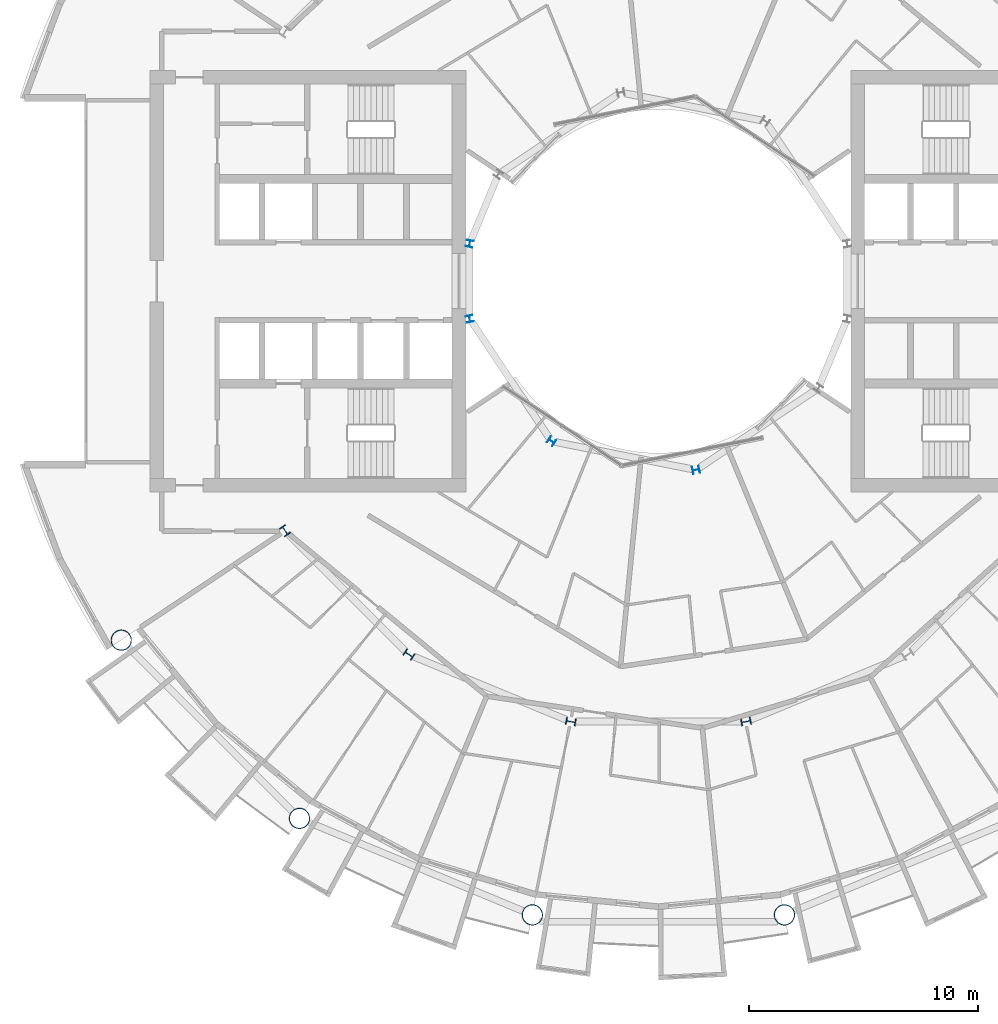
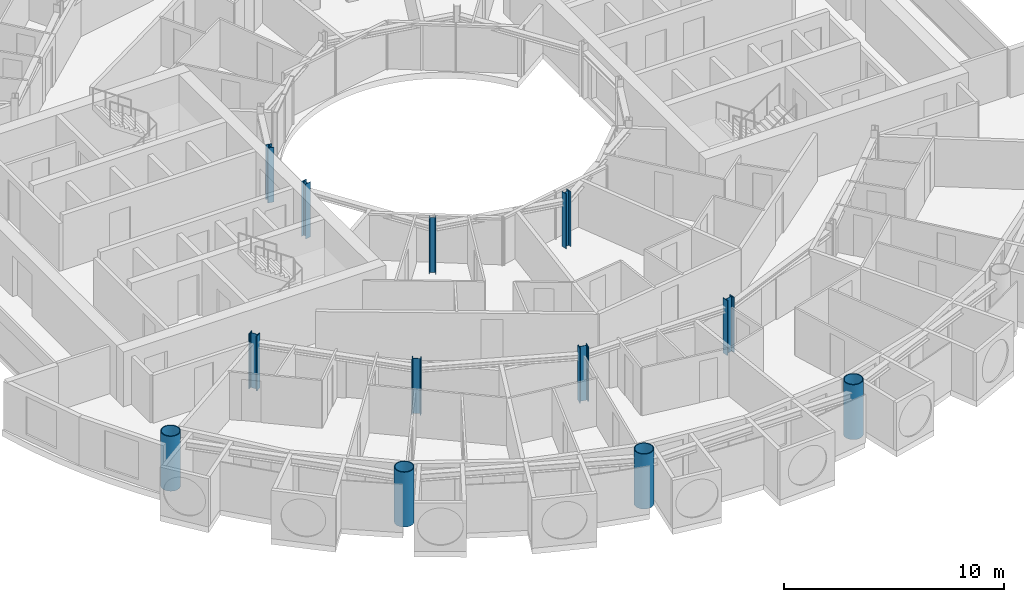
# One storey, part 1 of 27: 12 columns.
"""IFC4 building model written with IfcOpenShell, lengths in metres."""

from ifc_helpers import new_model, si_unit, direction, frame, origin, origin_2d, place, context, subcontext, project, spatial, hollow_circle, i_section, extrude, material, material_profile, profile_set, type_object, element, save


model = new_model("IFC4")

# Units and contexts
model_context = context("Model", 3, precision=1e-05, world=origin(), true_north=direction((0.0, 1.0)))
body_context = subcontext(model_context, "Body", "Model", "MODEL_VIEW")
ifc_project = project(units=[si_unit("LENGTHUNIT", "METRE"), si_unit("AREAUNIT", "SQUARE_METRE"), si_unit("VOLUMEUNIT", "CUBIC_METRE"), si_unit("PLANEANGLEUNIT", "RADIAN"), si_unit("MASSUNIT", "GRAM", prefix="KILO")], contexts=[model_context])

# Site, building, storey
site_placement = place(None, origin())
site = spatial("IfcSite", under=ifc_project, at=site_placement, CompositionType="ELEMENT")
building_placement = place(site_placement, origin())
building = spatial("IfcBuilding", under=site, at=building_placement, Name="Maasbend Ring Residences", CompositionType="ELEMENT")
storey_placement = place(building_placement, frame((0.0, 0.0, 136.050048828125)))
storey = spatial("IfcBuildingStorey", under=building, at=storey_placement, Name="L39", CompositionType="ELEMENT", Elevation=136.050048828125)

# Columns
ifc_material_1 = material(Name="Composite concrete-filled steel tube S460NH / C80/95", Category="concrete")
ifc_material_profile_1 = material_profile(ifc_material_1, hollow_circle(Radius=0.45703125, WallThickness=0.0400390625, at=origin_2d()), Name="Composite tube column CHS 914x40")
ifc_profile_set_1 = profile_set([ifc_material_profile_1], Name="Composite concrete-filled steel tube S460NH / C80/95")
column_type_1 = type_object("IfcColumnType", Name="Composite tube column CHS 914x40", PredefinedType="COLUMN", material=ifc_profile_set_1)
for number, where, z_axis, x_axis, name in (
    (1, (-23.447509765625, -15.6669921875, 0.0), (0.0, 0.0, 1.0), (1.0, 0.0, 0.0), "Outer column R10"),
    (2, (-15.6669921875, -23.447509765625, 0.0), (0.0, 0.0, 1.0), (1.0, 0.0, 0.0), "Outer column R11"),
    (3, (-5.50146484375, -27.658203125, 0.0), (0.0, 0.0, 1.0), (1.0, 0.0, 0.0), "Outer column R12"),
    (4, (5.50146484375, -27.658203125, 0.0), (0.0, 0.0, 1.0), (1.0, 0.0, 0.0), "Outer column R13"),
):
    element("IfcColumn", number, at=place(storey_placement, frame(where, z_axis=z_axis, x_axis=x_axis)), inside=storey, type_object=column_type_1, Name=name, PredefinedType="COLUMN", context=body_context, shape_type="SweptSolid", body=[
        extrude(hollow_circle(Radius=0.45703125, WallThickness=0.0400390625, at=origin_2d()), origin(), (0.0, 0.0, 1.0), 3.050048828125),
    ])
ifc_material_2 = material(Name="Steel S355J2", Category="steel")
ifc_material_profile_2 = material_profile(ifc_material_2, i_section(OverallWidth=0.300048828125, OverallDepth=0.300048828125, WebThickness=0.010986328125, FlangeThickness=0.01904296875, FilletRadius=0.027099609375, at=origin_2d()), Name="HEB 300")
ifc_profile_set_2 = profile_set([ifc_material_profile_2], Name="Steel S355J2")
column_type_2 = type_object("IfcColumnType", Name="Steel column HEB 300", PredefinedType="COLUMN", material=ifc_profile_set_2)
for number, where, z_axis, x_axis, name in (
    (5, (-8.238525390625, 1.638916015625, 0.0), (0.0, 0.0, 1.0), (-0.980785280403, 0.195090322016, 0.0), "Well ring column R8"),
    (6, (-8.238525390625, -1.638916015625, 0.0), (0.0, 0.0, 1.0), (-0.980785280403, -0.195090322016, 0.0), "Well ring column R9"),
    (7, (-4.666748046875, -6.984375, 0.0), (0.0, 0.0, 1.0), (-0.55557023302, -0.831469612303, 0.0), "Well ring column R11"),
    (8, (1.638916015625, -8.238525390625, 0.0), (0.0, 0.0, 1.0), (0.195090322016, -0.980785280403, 0.0), "Well ring column R13"),
):
    element("IfcColumn", number, at=place(storey_placement, frame(where, z_axis=z_axis, x_axis=x_axis)), inside=storey, type_object=column_type_2, Name=name, PredefinedType="COLUMN", context=body_context, shape_type="SweptSolid", body=[
        extrude(i_section(OverallWidth=0.300048828125, OverallDepth=0.300048828125, WebThickness=0.010986328125, FlangeThickness=0.01904296875, FilletRadius=0.027099609375, at=origin_2d()), origin(), (0.0, 0.0, 1.0), 3.050048828125),
    ])
ifc_material_3 = material(Name="Steel S460M", Category="steel")
ifc_material_profile_3 = material_profile(ifc_material_3, i_section(OverallWidth=0.306884765625, OverallDepth=0.431884765625, WebThickness=0.02099609375, FlangeThickness=0.0400390625, FilletRadius=0.027099609375, at=origin_2d()), Name="HEM 400")
ifc_profile_set_3 = profile_set([ifc_material_profile_3], Name="Steel S460M")
column_type_3 = type_object("IfcColumnType", Name="Steel column HEM 400", PredefinedType="COLUMN", material=ifc_profile_set_3)
for number, where, z_axis, x_axis, name in (
    (9, (-16.296875, -10.88916015625, 0.0), (0.0, 0.0, 1.0), (-0.831469612303, -0.55557023302, 0.0), "Corridor ring column R10"),
    (10, (-10.88916015625, -16.296875, 0.0), (0.0, 0.0, 1.0), (-0.55557023302, -0.831469612303, 0.0), "Corridor ring column R11"),
    (11, (-3.82373046875, -19.223388671875, 0.0), (0.0, 0.0, 1.0), (-0.195090322016, -0.980785280403, 0.0), "Corridor ring column R12"),
    (12, (3.82373046875, -19.223388671875, 0.0), (0.0, 0.0, 1.0), (0.195090322016, -0.980785280403, 0.0), "Corridor ring column R13"),
):
    element("IfcColumn", number, at=place(storey_placement, frame(where, z_axis=z_axis, x_axis=x_axis)), inside=storey, type_object=column_type_3, Name=name, PredefinedType="COLUMN", context=body_context, shape_type="SweptSolid", body=[
        extrude(i_section(OverallWidth=0.306884765625, OverallDepth=0.431884765625, WebThickness=0.02099609375, FlangeThickness=0.0400390625, FilletRadius=0.027099609375, at=origin_2d()), origin(), (0.0, 0.0, 1.0), 3.050048828125),
    ])

save(model, "model.ifc")
